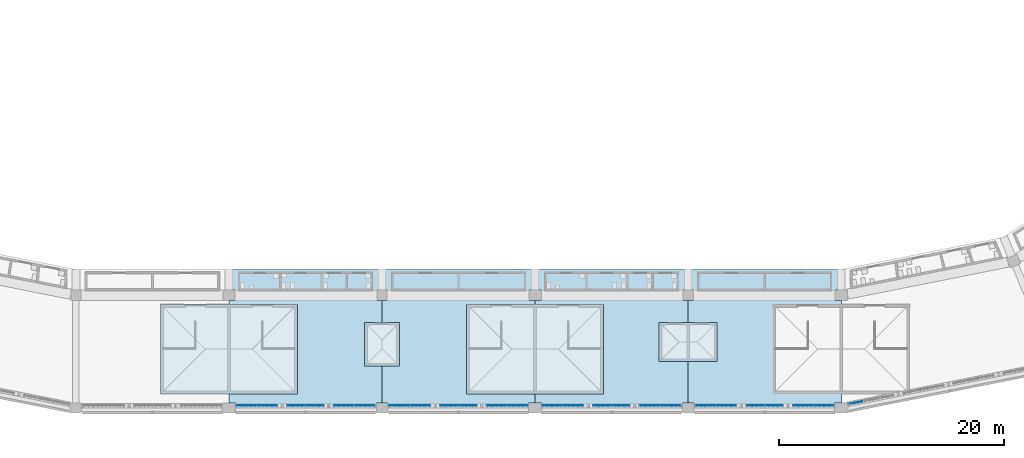
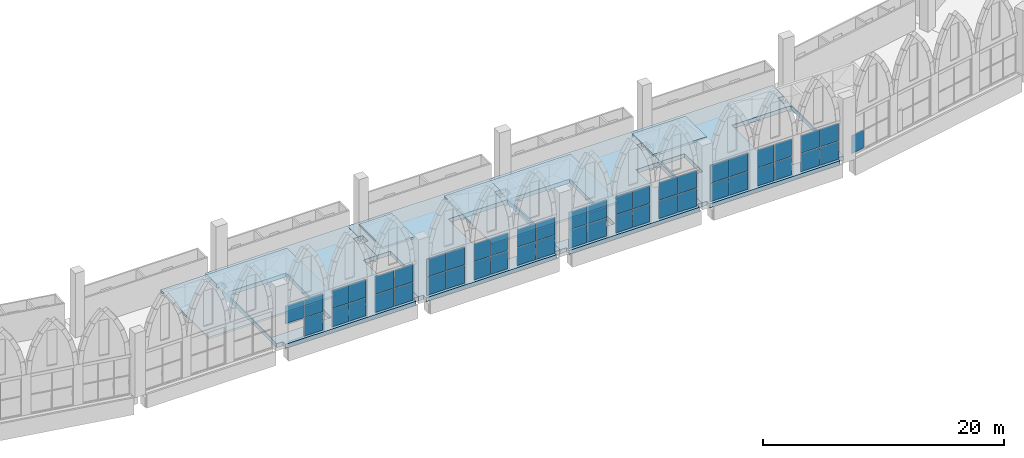
# One storey, part 50 of 130: 48 plates, 8 slabs, 13 elements without a shape of their own.
"""IFC4 building model written with IfcOpenShell, lengths in metres."""

from ifc_helpers import new_model, si_unit, direction, frame, origin, origin_2d, place, context, subcontext, project, spatial, polyline, rectangle, outline, extrude, material, layer, layer_set, type_object, element, aggregate, save


model = new_model("IFC4")

# Units and contexts
model_context = context("Model", 3, precision=1e-05, world=origin(), true_north=direction((0.0, 1.0)))
body_context = subcontext(model_context, "Body", "Model", "MODEL_VIEW")
ifc_project = project(units=[si_unit("LENGTHUNIT", "METRE"), si_unit("AREAUNIT", "SQUARE_METRE"), si_unit("VOLUMEUNIT", "CUBIC_METRE"), si_unit("PLANEANGLEUNIT", "RADIAN"), si_unit("MASSUNIT", "GRAM", prefix="KILO")], contexts=[model_context])

# Site, building, storey
site_placement = place(None, origin())
site = spatial("IfcSite", under=ifc_project, at=site_placement, CompositionType="ELEMENT")
building_placement = place(site_placement, origin())
building = spatial("IfcBuilding", under=site, at=building_placement, Name="Ogive Plaza Stadium", CompositionType="ELEMENT")
storey_placement = place(building_placement, frame((0.0, 0.0, 22.5)))
storey = spatial("IfcBuildingStorey", under=building, at=storey_placement, Name="L05", CompositionType="ELEMENT", Elevation=22.5)

# Slabs
ifc_material_1 = material(Name="Concrete C40/50", Category="concrete")
ifc_layer_1 = layer(ifc_material_1, 0.199951171875)
ifc_layer_set_1 = layer_set([ifc_layer_1], Name="Concrete C40/50")
slab_type_1 = type_object("IfcSlabType", Name="Core roof slab", PredefinedType="ROOF", material=ifc_layer_set_1)
slab_1_placement = place(storey_placement, frame((0.0, 0.0, 2.10009765625)))
element("IfcSlab", 1, at=slab_1_placement, inside=storey, type_object=slab_type_1, Name="Stair core R14 roof", PredefinedType="ROOF", context=body_context, shape_type="SweptSolid", body=[
    extrude(outline(polyline([(0.72509765625, -93.300048828125), (0.72509765625, -101.260009765625), (12.875, -101.260009765625), (12.875, -93.300048828125), (0.72509765625, -93.300048828125)])), origin(), (0.0, 0.0, 1.0), 0.199951171875),
])
slab_2_placement = place(storey_placement, frame((0.0, 0.0, 2.10009765625)))
element("IfcSlab", 2, at=slab_2_placement, inside=storey, type_object=slab_type_1, Name="Stair core R16 roof", PredefinedType="ROOF", context=body_context, shape_type="SweptSolid", body=[
    extrude(outline(polyline([(-26.47509765625, -93.300048828125), (-26.47509765625, -101.260009765625), (-14.324951171875, -101.260009765625), (-14.324951171875, -93.300048828125), (-26.47509765625, -93.300048828125)])), origin(), (0.0, 0.0, 1.0), 0.199951171875),
])

# Curtain wall, plate
ifc_material_2 = material(Name="Bronze-anodised aluminium with laminated glass", Category="aluminium")
curtain_wall_type = type_object("IfcCurtainWallType", Name="Lancet curtain wall", PredefinedType="NOTDEFINED", material=ifc_material_2)
curtain_wall_1_placement = place(storey_placement, origin())
curtain_wall_1 = element("IfcCurtainWall", 3, at=curtain_wall_1_placement, inside=storey, type_object=curtain_wall_type, Name="CURTAIN WALL B11 L05", PredefinedType="NOTDEFINED")
ifc_material_3 = material(Name="Laminated glass", Category="glass")
ifc_layer_2 = layer(ifc_material_3, 0.028076171875)
ifc_layer_set_2 = layer_set([ifc_layer_2], Name="Laminated glass panel 28")
plate_type = type_object("IfcPlateType", Name="Laminated glass panel 28", PredefinedType="CURTAIN_PANEL", material=ifc_layer_set_2)
plate_1_placement = place(storey_placement, frame((35.32666015625, -102.0322265625, 0.0498046875), z_axis=(0.0, 0.0, 1.0), x_axis=(-0.980785280403, -0.195090322016, 0.0)))
plate_1 = element("IfcPlate", 4, at=plate_1_placement, type_object=plate_type, Name="CW-B11-L05.4 panel 3.1", PredefinedType="CURTAIN_PANEL", context=body_context, shape_type="SweptSolid", body=[
    extrude(rectangle(XDim=1.30224609375, YDim=0.028076171875, at=origin_2d()), origin(), (0.0, 0.0, 1.0), 1.824951171875),
])
aggregate(curtain_wall_1, [plate_1])

# Curtain wall, plates
curtain_wall_2_placement = place(storey_placement, origin())
curtain_wall_2 = element("IfcCurtainWall", 5, at=curtain_wall_2_placement, inside=storey, type_object=curtain_wall_type, Name="CURTAIN WALL B12 L05", PredefinedType="NOTDEFINED")
plate_2_placement = place(storey_placement, frame((32.4541015625, -102.300048828125, 0.0498046875), z_axis=(0.0, 0.0, 1.0), x_axis=(-1.0, 0.0, 0.0)))
plate_2 = element("IfcPlate", 6, at=plate_2_placement, type_object=plate_type, Name="CW-B12-L05.1 panel 1.1", PredefinedType="CURTAIN_PANEL", context=body_context, shape_type="SweptSolid", body=[
    extrude(rectangle(XDim=1.791748046875, YDim=0.028076171875, at=origin_2d()), origin(), (0.0, 0.0, 1.0), 1.824951171875),
])
plate_3_placement = place(storey_placement, frame((32.4541015625, -102.300048828125, 1.9248046875), z_axis=(0.0, 0.0, 1.0), x_axis=(-1.0, 0.0, 0.0)))
plate_3 = element("IfcPlate", 7, at=plate_3_placement, type_object=plate_type, Name="CW-B12-L05.1 panel 1.2", PredefinedType="CURTAIN_PANEL", context=body_context, shape_type="SweptSolid", body=[
    extrude(rectangle(XDim=1.791748046875, YDim=0.028076171875, at=origin_2d()), origin(), (0.0, 0.0, 1.0), 1.824951171875),
])
plate_4_placement = place(storey_placement, frame((30.612548828125, -102.300048828125, 0.0498046875), z_axis=(0.0, 0.0, 1.0), x_axis=(-1.0, 0.0, 0.0)))
plate_4 = element("IfcPlate", 8, at=plate_4_placement, type_object=plate_type, Name="CW-B12-L05.1 panel 2.1", PredefinedType="CURTAIN_PANEL", context=body_context, shape_type="SweptSolid", body=[
    extrude(rectangle(XDim=1.791748046875, YDim=0.028076171875, at=origin_2d()), origin(), (0.0, 0.0, 1.0), 1.824951171875),
])
plate_5_placement = place(storey_placement, frame((30.612548828125, -102.300048828125, 1.9248046875), z_axis=(0.0, 0.0, 1.0), x_axis=(-1.0, 0.0, 0.0)))
plate_5 = element("IfcPlate", 9, at=plate_5_placement, type_object=plate_type, Name="CW-B12-L05.1 panel 2.2", PredefinedType="CURTAIN_PANEL", context=body_context, shape_type="SweptSolid", body=[
    extrude(rectangle(XDim=1.791748046875, YDim=0.028076171875, at=origin_2d()), origin(), (0.0, 0.0, 1.0), 1.824951171875),
])
aggregate(curtain_wall_2, [plate_2, plate_3, plate_4, plate_5])

curtain_wall_3_placement = place(storey_placement, origin())
curtain_wall_3 = element("IfcCurtainWall", 10, at=curtain_wall_3_placement, inside=storey, type_object=curtain_wall_type, Name="CURTAIN WALL B12 L05", PredefinedType="NOTDEFINED")
plate_6_placement = place(storey_placement, frame((28.020751953125, -102.300048828125, 0.0498046875), z_axis=(0.0, 0.0, 1.0), x_axis=(-1.0, 0.0, 0.0)))
plate_6 = element("IfcPlate", 11, at=plate_6_placement, type_object=plate_type, Name="CW-B12-L05.2 panel 1.1", PredefinedType="CURTAIN_PANEL", context=body_context, shape_type="SweptSolid", body=[
    extrude(rectangle(XDim=1.591552734375, YDim=0.028076171875, at=origin_2d()), origin(), (0.0, 0.0, 1.0), 1.824951171875),
])
plate_7_placement = place(storey_placement, frame((28.020751953125, -102.300048828125, 1.9248046875), z_axis=(0.0, 0.0, 1.0), x_axis=(-1.0, 0.0, 0.0)))
plate_7 = element("IfcPlate", 12, at=plate_7_placement, type_object=plate_type, Name="CW-B12-L05.2 panel 1.2", PredefinedType="CURTAIN_PANEL", context=body_context, shape_type="SweptSolid", body=[
    extrude(rectangle(XDim=1.591552734375, YDim=0.028076171875, at=origin_2d()), origin(), (0.0, 0.0, 1.0), 1.824951171875),
])
plate_8_placement = place(storey_placement, frame((26.379150390625, -102.300048828125, 0.0498046875), z_axis=(0.0, 0.0, 1.0), x_axis=(-1.0, 0.0, 0.0)))
plate_8 = element("IfcPlate", 13, at=plate_8_placement, type_object=plate_type, Name="CW-B12-L05.2 panel 2.1", PredefinedType="CURTAIN_PANEL", context=body_context, shape_type="SweptSolid", body=[
    extrude(rectangle(XDim=1.591552734375, YDim=0.028076171875, at=origin_2d()), origin(), (0.0, 0.0, 1.0), 1.824951171875),
])
plate_9_placement = place(storey_placement, frame((26.379150390625, -102.300048828125, 1.9248046875), z_axis=(0.0, 0.0, 1.0), x_axis=(-1.0, 0.0, 0.0)))
plate_9 = element("IfcPlate", 14, at=plate_9_placement, type_object=plate_type, Name="CW-B12-L05.2 panel 2.2", PredefinedType="CURTAIN_PANEL", context=body_context, shape_type="SweptSolid", body=[
    extrude(rectangle(XDim=1.591552734375, YDim=0.028076171875, at=origin_2d()), origin(), (0.0, 0.0, 1.0), 1.824951171875),
])
aggregate(curtain_wall_3, [plate_6, plate_7, plate_8, plate_9])

curtain_wall_4_placement = place(storey_placement, origin())
curtain_wall_4 = element("IfcCurtainWall", 15, at=curtain_wall_4_placement, inside=storey, type_object=curtain_wall_type, Name="CURTAIN WALL B12 L05", PredefinedType="NOTDEFINED")
plate_10_placement = place(storey_placement, frame((23.78759765625, -102.300048828125, 0.0498046875), z_axis=(0.0, 0.0, 1.0), x_axis=(-1.0, 0.0, 0.0)))
plate_10 = element("IfcPlate", 16, at=plate_10_placement, type_object=plate_type, Name="CW-B12-L05.3 panel 1.1", PredefinedType="CURTAIN_PANEL", context=body_context, shape_type="SweptSolid", body=[
    extrude(rectangle(XDim=1.791748046875, YDim=0.028076171875, at=origin_2d()), origin(), (0.0, 0.0, 1.0), 1.824951171875),
])
plate_11_placement = place(storey_placement, frame((23.78759765625, -102.300048828125, 1.9248046875), z_axis=(0.0, 0.0, 1.0), x_axis=(-1.0, 0.0, 0.0)))
plate_11 = element("IfcPlate", 17, at=plate_11_placement, type_object=plate_type, Name="CW-B12-L05.3 panel 1.2", PredefinedType="CURTAIN_PANEL", context=body_context, shape_type="SweptSolid", body=[
    extrude(rectangle(XDim=1.791748046875, YDim=0.028076171875, at=origin_2d()), origin(), (0.0, 0.0, 1.0), 1.824951171875),
])
plate_12_placement = place(storey_placement, frame((21.94580078125, -102.300048828125, 0.0498046875), z_axis=(0.0, 0.0, 1.0), x_axis=(-1.0, 0.0, 0.0)))
plate_12 = element("IfcPlate", 18, at=plate_12_placement, type_object=plate_type, Name="CW-B12-L05.3 panel 2.1", PredefinedType="CURTAIN_PANEL", context=body_context, shape_type="SweptSolid", body=[
    extrude(rectangle(XDim=1.791748046875, YDim=0.028076171875, at=origin_2d()), origin(), (0.0, 0.0, 1.0), 1.824951171875),
])
plate_13_placement = place(storey_placement, frame((21.94580078125, -102.300048828125, 1.9248046875), z_axis=(0.0, 0.0, 1.0), x_axis=(-1.0, 0.0, 0.0)))
plate_13 = element("IfcPlate", 19, at=plate_13_placement, type_object=plate_type, Name="CW-B12-L05.3 panel 2.2", PredefinedType="CURTAIN_PANEL", context=body_context, shape_type="SweptSolid", body=[
    extrude(rectangle(XDim=1.791748046875, YDim=0.028076171875, at=origin_2d()), origin(), (0.0, 0.0, 1.0), 1.824951171875),
])
aggregate(curtain_wall_4, [plate_10, plate_11, plate_12, plate_13])

curtain_wall_5_placement = place(storey_placement, origin())
curtain_wall_5 = element("IfcCurtainWall", 20, at=curtain_wall_5_placement, inside=storey, type_object=curtain_wall_type, Name="CURTAIN WALL B13 L05", PredefinedType="NOTDEFINED")
plate_14_placement = place(storey_placement, frame((18.854248046875, -102.300048828125, 0.0498046875), z_axis=(0.0, 0.0, 1.0), x_axis=(-1.0, 0.0, 0.0)))
plate_14 = element("IfcPlate", 21, at=plate_14_placement, type_object=plate_type, Name="CW-B13-L05.1 panel 1.1", PredefinedType="CURTAIN_PANEL", context=body_context, shape_type="SweptSolid", body=[
    extrude(rectangle(XDim=1.791748046875, YDim=0.028076171875, at=origin_2d()), origin(), (0.0, 0.0, 1.0), 1.824951171875),
])
plate_15_placement = place(storey_placement, frame((18.854248046875, -102.300048828125, 1.9248046875), z_axis=(0.0, 0.0, 1.0), x_axis=(-1.0, 0.0, 0.0)))
plate_15 = element("IfcPlate", 22, at=plate_15_placement, type_object=plate_type, Name="CW-B13-L05.1 panel 1.2", PredefinedType="CURTAIN_PANEL", context=body_context, shape_type="SweptSolid", body=[
    extrude(rectangle(XDim=1.791748046875, YDim=0.028076171875, at=origin_2d()), origin(), (0.0, 0.0, 1.0), 1.824951171875),
])
plate_16_placement = place(storey_placement, frame((17.012451171875, -102.300048828125, 0.0498046875), z_axis=(0.0, 0.0, 1.0), x_axis=(-1.0, 0.0, 0.0)))
plate_16 = element("IfcPlate", 23, at=plate_16_placement, type_object=plate_type, Name="CW-B13-L05.1 panel 2.1", PredefinedType="CURTAIN_PANEL", context=body_context, shape_type="SweptSolid", body=[
    extrude(rectangle(XDim=1.791748046875, YDim=0.028076171875, at=origin_2d()), origin(), (0.0, 0.0, 1.0), 1.824951171875),
])
plate_17_placement = place(storey_placement, frame((17.012451171875, -102.300048828125, 1.9248046875), z_axis=(0.0, 0.0, 1.0), x_axis=(-1.0, 0.0, 0.0)))
plate_17 = element("IfcPlate", 24, at=plate_17_placement, type_object=plate_type, Name="CW-B13-L05.1 panel 2.2", PredefinedType="CURTAIN_PANEL", context=body_context, shape_type="SweptSolid", body=[
    extrude(rectangle(XDim=1.791748046875, YDim=0.028076171875, at=origin_2d()), origin(), (0.0, 0.0, 1.0), 1.824951171875),
])
aggregate(curtain_wall_5, [plate_14, plate_15, plate_16, plate_17])

curtain_wall_6_placement = place(storey_placement, origin())
curtain_wall_6 = element("IfcCurtainWall", 25, at=curtain_wall_6_placement, inside=storey, type_object=curtain_wall_type, Name="CURTAIN WALL B13 L05", PredefinedType="NOTDEFINED")
plate_18_placement = place(storey_placement, frame((14.4208984375, -102.300048828125, 0.0498046875), z_axis=(0.0, 0.0, 1.0), x_axis=(-1.0, 0.0, 0.0)))
plate_18 = element("IfcPlate", 26, at=plate_18_placement, type_object=plate_type, Name="CW-B13-L05.2 panel 1.1", PredefinedType="CURTAIN_PANEL", context=body_context, shape_type="SweptSolid", body=[
    extrude(rectangle(XDim=1.591552734375, YDim=0.028076171875, at=origin_2d()), origin(), (0.0, 0.0, 1.0), 1.824951171875),
])
plate_19_placement = place(storey_placement, frame((14.4208984375, -102.300048828125, 1.9248046875), z_axis=(0.0, 0.0, 1.0), x_axis=(-1.0, 0.0, 0.0)))
plate_19 = element("IfcPlate", 27, at=plate_19_placement, type_object=plate_type, Name="CW-B13-L05.2 panel 1.2", PredefinedType="CURTAIN_PANEL", context=body_context, shape_type="SweptSolid", body=[
    extrude(rectangle(XDim=1.591552734375, YDim=0.028076171875, at=origin_2d()), origin(), (0.0, 0.0, 1.0), 1.824951171875),
])
plate_20_placement = place(storey_placement, frame((12.779052734375, -102.300048828125, 0.0498046875), z_axis=(0.0, 0.0, 1.0), x_axis=(-1.0, 0.0, 0.0)))
plate_20 = element("IfcPlate", 28, at=plate_20_placement, type_object=plate_type, Name="CW-B13-L05.2 panel 2.1", PredefinedType="CURTAIN_PANEL", context=body_context, shape_type="SweptSolid", body=[
    extrude(rectangle(XDim=1.591552734375, YDim=0.028076171875, at=origin_2d()), origin(), (0.0, 0.0, 1.0), 1.824951171875),
])
plate_21_placement = place(storey_placement, frame((12.779052734375, -102.300048828125, 1.9248046875), z_axis=(0.0, 0.0, 1.0), x_axis=(-1.0, 0.0, 0.0)))
plate_21 = element("IfcPlate", 29, at=plate_21_placement, type_object=plate_type, Name="CW-B13-L05.2 panel 2.2", PredefinedType="CURTAIN_PANEL", context=body_context, shape_type="SweptSolid", body=[
    extrude(rectangle(XDim=1.591552734375, YDim=0.028076171875, at=origin_2d()), origin(), (0.0, 0.0, 1.0), 1.824951171875),
])
aggregate(curtain_wall_6, [plate_18, plate_19, plate_20, plate_21])

curtain_wall_7_placement = place(storey_placement, origin())
curtain_wall_7 = element("IfcCurtainWall", 30, at=curtain_wall_7_placement, inside=storey, type_object=curtain_wall_type, Name="CURTAIN WALL B13 L05", PredefinedType="NOTDEFINED")
plate_22_placement = place(storey_placement, frame((10.1875, -102.300048828125, 0.0498046875), z_axis=(0.0, 0.0, 1.0), x_axis=(-1.0, 0.0, 0.0)))
plate_22 = element("IfcPlate", 31, at=plate_22_placement, type_object=plate_type, Name="CW-B13-L05.3 panel 1.1", PredefinedType="CURTAIN_PANEL", context=body_context, shape_type="SweptSolid", body=[
    extrude(rectangle(XDim=1.791748046875, YDim=0.028076171875, at=origin_2d()), origin(), (0.0, 0.0, 1.0), 1.824951171875),
])
plate_23_placement = place(storey_placement, frame((10.1875, -102.300048828125, 1.9248046875), z_axis=(0.0, 0.0, 1.0), x_axis=(-1.0, 0.0, 0.0)))
plate_23 = element("IfcPlate", 32, at=plate_23_placement, type_object=plate_type, Name="CW-B13-L05.3 panel 1.2", PredefinedType="CURTAIN_PANEL", context=body_context, shape_type="SweptSolid", body=[
    extrude(rectangle(XDim=1.791748046875, YDim=0.028076171875, at=origin_2d()), origin(), (0.0, 0.0, 1.0), 1.824951171875),
])
plate_24_placement = place(storey_placement, frame((8.345947265625, -102.300048828125, 0.0498046875), z_axis=(0.0, 0.0, 1.0), x_axis=(-1.0, 0.0, 0.0)))
plate_24 = element("IfcPlate", 33, at=plate_24_placement, type_object=plate_type, Name="CW-B13-L05.3 panel 2.1", PredefinedType="CURTAIN_PANEL", context=body_context, shape_type="SweptSolid", body=[
    extrude(rectangle(XDim=1.791748046875, YDim=0.028076171875, at=origin_2d()), origin(), (0.0, 0.0, 1.0), 1.824951171875),
])
plate_25_placement = place(storey_placement, frame((8.345947265625, -102.300048828125, 1.9248046875), z_axis=(0.0, 0.0, 1.0), x_axis=(-1.0, 0.0, 0.0)))
plate_25 = element("IfcPlate", 34, at=plate_25_placement, type_object=plate_type, Name="CW-B13-L05.3 panel 2.2", PredefinedType="CURTAIN_PANEL", context=body_context, shape_type="SweptSolid", body=[
    extrude(rectangle(XDim=1.791748046875, YDim=0.028076171875, at=origin_2d()), origin(), (0.0, 0.0, 1.0), 1.824951171875),
])
aggregate(curtain_wall_7, [plate_22, plate_23, plate_24, plate_25])

curtain_wall_8_placement = place(storey_placement, origin())
curtain_wall_8 = element("IfcCurtainWall", 35, at=curtain_wall_8_placement, inside=storey, type_object=curtain_wall_type, Name="CURTAIN WALL B14 L05", PredefinedType="NOTDEFINED")
plate_26_placement = place(storey_placement, frame((5.254150390625, -102.300048828125, 0.0498046875), z_axis=(0.0, 0.0, 1.0), x_axis=(-1.0, 0.0, 0.0)))
plate_26 = element("IfcPlate", 36, at=plate_26_placement, type_object=plate_type, Name="CW-B14-L05.1 panel 1.1", PredefinedType="CURTAIN_PANEL", context=body_context, shape_type="SweptSolid", body=[
    extrude(rectangle(XDim=1.791748046875, YDim=0.028076171875, at=origin_2d()), origin(), (0.0, 0.0, 1.0), 1.824951171875),
])
plate_27_placement = place(storey_placement, frame((5.254150390625, -102.300048828125, 1.9248046875), z_axis=(0.0, 0.0, 1.0), x_axis=(-1.0, 0.0, 0.0)))
plate_27 = element("IfcPlate", 37, at=plate_27_placement, type_object=plate_type, Name="CW-B14-L05.1 panel 1.2", PredefinedType="CURTAIN_PANEL", context=body_context, shape_type="SweptSolid", body=[
    extrude(rectangle(XDim=1.791748046875, YDim=0.028076171875, at=origin_2d()), origin(), (0.0, 0.0, 1.0), 1.824951171875),
])
plate_28_placement = place(storey_placement, frame((3.41259765625, -102.300048828125, 0.0498046875), z_axis=(0.0, 0.0, 1.0), x_axis=(-1.0, 0.0, 0.0)))
plate_28 = element("IfcPlate", 38, at=plate_28_placement, type_object=plate_type, Name="CW-B14-L05.1 panel 2.1", PredefinedType="CURTAIN_PANEL", context=body_context, shape_type="SweptSolid", body=[
    extrude(rectangle(XDim=1.791748046875, YDim=0.028076171875, at=origin_2d()), origin(), (0.0, 0.0, 1.0), 1.824951171875),
])
plate_29_placement = place(storey_placement, frame((3.41259765625, -102.300048828125, 1.9248046875), z_axis=(0.0, 0.0, 1.0), x_axis=(-1.0, 0.0, 0.0)))
plate_29 = element("IfcPlate", 39, at=plate_29_placement, type_object=plate_type, Name="CW-B14-L05.1 panel 2.2", PredefinedType="CURTAIN_PANEL", context=body_context, shape_type="SweptSolid", body=[
    extrude(rectangle(XDim=1.791748046875, YDim=0.028076171875, at=origin_2d()), origin(), (0.0, 0.0, 1.0), 1.824951171875),
])
aggregate(curtain_wall_8, [plate_26, plate_27, plate_28, plate_29])

curtain_wall_9_placement = place(storey_placement, origin())
curtain_wall_9 = element("IfcCurtainWall", 40, at=curtain_wall_9_placement, inside=storey, type_object=curtain_wall_type, Name="CURTAIN WALL B14 L05", PredefinedType="NOTDEFINED")
plate_30_placement = place(storey_placement, frame((0.82080078125, -102.300048828125, 0.0498046875), z_axis=(0.0, 0.0, 1.0), x_axis=(-1.0, 0.0, 0.0)))
plate_30 = element("IfcPlate", 41, at=plate_30_placement, type_object=plate_type, Name="CW-B14-L05.2 panel 1.1", PredefinedType="CURTAIN_PANEL", context=body_context, shape_type="SweptSolid", body=[
    extrude(rectangle(XDim=1.591552734375, YDim=0.028076171875, at=origin_2d()), origin(), (0.0, 0.0, 1.0), 1.824951171875),
])
plate_31_placement = place(storey_placement, frame((0.82080078125, -102.300048828125, 1.9248046875), z_axis=(0.0, 0.0, 1.0), x_axis=(-1.0, 0.0, 0.0)))
plate_31 = element("IfcPlate", 42, at=plate_31_placement, type_object=plate_type, Name="CW-B14-L05.2 panel 1.2", PredefinedType="CURTAIN_PANEL", context=body_context, shape_type="SweptSolid", body=[
    extrude(rectangle(XDim=1.591552734375, YDim=0.028076171875, at=origin_2d()), origin(), (0.0, 0.0, 1.0), 1.824951171875),
])
plate_32_placement = place(storey_placement, frame((-0.82080078125, -102.300048828125, 0.0498046875), z_axis=(0.0, 0.0, 1.0), x_axis=(-1.0, 0.0, 0.0)))
plate_32 = element("IfcPlate", 43, at=plate_32_placement, type_object=plate_type, Name="CW-B14-L05.2 panel 2.1", PredefinedType="CURTAIN_PANEL", context=body_context, shape_type="SweptSolid", body=[
    extrude(rectangle(XDim=1.591552734375, YDim=0.028076171875, at=origin_2d()), origin(), (0.0, 0.0, 1.0), 1.824951171875),
])
plate_33_placement = place(storey_placement, frame((-0.82080078125, -102.300048828125, 1.9248046875), z_axis=(0.0, 0.0, 1.0), x_axis=(-1.0, 0.0, 0.0)))
plate_33 = element("IfcPlate", 44, at=plate_33_placement, type_object=plate_type, Name="CW-B14-L05.2 panel 2.2", PredefinedType="CURTAIN_PANEL", context=body_context, shape_type="SweptSolid", body=[
    extrude(rectangle(XDim=1.591552734375, YDim=0.028076171875, at=origin_2d()), origin(), (0.0, 0.0, 1.0), 1.824951171875),
])
aggregate(curtain_wall_9, [plate_30, plate_31, plate_32, plate_33])

curtain_wall_10_placement = place(storey_placement, origin())
curtain_wall_10 = element("IfcCurtainWall", 45, at=curtain_wall_10_placement, inside=storey, type_object=curtain_wall_type, Name="CURTAIN WALL B14 L05", PredefinedType="NOTDEFINED")
plate_34_placement = place(storey_placement, frame((-3.41259765625, -102.300048828125, 0.0498046875), z_axis=(0.0, 0.0, 1.0), x_axis=(-1.0, 0.0, 0.0)))
plate_34 = element("IfcPlate", 46, at=plate_34_placement, type_object=plate_type, Name="CW-B14-L05.3 panel 1.1", PredefinedType="CURTAIN_PANEL", context=body_context, shape_type="SweptSolid", body=[
    extrude(rectangle(XDim=1.791748046875, YDim=0.028076171875, at=origin_2d()), origin(), (0.0, 0.0, 1.0), 1.824951171875),
])
plate_35_placement = place(storey_placement, frame((-3.41259765625, -102.300048828125, 1.9248046875), z_axis=(0.0, 0.0, 1.0), x_axis=(-1.0, 0.0, 0.0)))
plate_35 = element("IfcPlate", 47, at=plate_35_placement, type_object=plate_type, Name="CW-B14-L05.3 panel 1.2", PredefinedType="CURTAIN_PANEL", context=body_context, shape_type="SweptSolid", body=[
    extrude(rectangle(XDim=1.791748046875, YDim=0.028076171875, at=origin_2d()), origin(), (0.0, 0.0, 1.0), 1.824951171875),
])
plate_36_placement = place(storey_placement, frame((-5.254150390625, -102.300048828125, 0.0498046875), z_axis=(0.0, 0.0, 1.0), x_axis=(-1.0, 0.0, 0.0)))
plate_36 = element("IfcPlate", 48, at=plate_36_placement, type_object=plate_type, Name="CW-B14-L05.3 panel 2.1", PredefinedType="CURTAIN_PANEL", context=body_context, shape_type="SweptSolid", body=[
    extrude(rectangle(XDim=1.791748046875, YDim=0.028076171875, at=origin_2d()), origin(), (0.0, 0.0, 1.0), 1.824951171875),
])
plate_37_placement = place(storey_placement, frame((-5.254150390625, -102.300048828125, 1.9248046875), z_axis=(0.0, 0.0, 1.0), x_axis=(-1.0, 0.0, 0.0)))
plate_37 = element("IfcPlate", 49, at=plate_37_placement, type_object=plate_type, Name="CW-B14-L05.3 panel 2.2", PredefinedType="CURTAIN_PANEL", context=body_context, shape_type="SweptSolid", body=[
    extrude(rectangle(XDim=1.791748046875, YDim=0.028076171875, at=origin_2d()), origin(), (0.0, 0.0, 1.0), 1.824951171875),
])
aggregate(curtain_wall_10, [plate_34, plate_35, plate_36, plate_37])

curtain_wall_11_placement = place(storey_placement, origin())
curtain_wall_11 = element("IfcCurtainWall", 50, at=curtain_wall_11_placement, inside=storey, type_object=curtain_wall_type, Name="CURTAIN WALL B15 L05", PredefinedType="NOTDEFINED")
plate_38_placement = place(storey_placement, frame((-8.345947265625, -102.300048828125, 0.0498046875), z_axis=(0.0, 0.0, 1.0), x_axis=(-1.0, 0.0, 0.0)))
plate_38 = element("IfcPlate", 51, at=plate_38_placement, type_object=plate_type, Name="CW-B15-L05.1 panel 1.1", PredefinedType="CURTAIN_PANEL", context=body_context, shape_type="SweptSolid", body=[
    extrude(rectangle(XDim=1.791748046875, YDim=0.028076171875, at=origin_2d()), origin(), (0.0, 0.0, 1.0), 1.824951171875),
])
plate_39_placement = place(storey_placement, frame((-8.345947265625, -102.300048828125, 1.9248046875), z_axis=(0.0, 0.0, 1.0), x_axis=(-1.0, 0.0, 0.0)))
plate_39 = element("IfcPlate", 52, at=plate_39_placement, type_object=plate_type, Name="CW-B15-L05.1 panel 1.2", PredefinedType="CURTAIN_PANEL", context=body_context, shape_type="SweptSolid", body=[
    extrude(rectangle(XDim=1.791748046875, YDim=0.028076171875, at=origin_2d()), origin(), (0.0, 0.0, 1.0), 1.824951171875),
])
plate_40_placement = place(storey_placement, frame((-10.1875, -102.300048828125, 0.0498046875), z_axis=(0.0, 0.0, 1.0), x_axis=(-1.0, 0.0, 0.0)))
plate_40 = element("IfcPlate", 53, at=plate_40_placement, type_object=plate_type, Name="CW-B15-L05.1 panel 2.1", PredefinedType="CURTAIN_PANEL", context=body_context, shape_type="SweptSolid", body=[
    extrude(rectangle(XDim=1.791748046875, YDim=0.028076171875, at=origin_2d()), origin(), (0.0, 0.0, 1.0), 1.824951171875),
])
plate_41_placement = place(storey_placement, frame((-10.1875, -102.300048828125, 1.9248046875), z_axis=(0.0, 0.0, 1.0), x_axis=(-1.0, 0.0, 0.0)))
plate_41 = element("IfcPlate", 54, at=plate_41_placement, type_object=plate_type, Name="CW-B15-L05.1 panel 2.2", PredefinedType="CURTAIN_PANEL", context=body_context, shape_type="SweptSolid", body=[
    extrude(rectangle(XDim=1.791748046875, YDim=0.028076171875, at=origin_2d()), origin(), (0.0, 0.0, 1.0), 1.824951171875),
])
aggregate(curtain_wall_11, [plate_38, plate_39, plate_40, plate_41])

curtain_wall_12_placement = place(storey_placement, origin())
curtain_wall_12 = element("IfcCurtainWall", 55, at=curtain_wall_12_placement, inside=storey, type_object=curtain_wall_type, Name="CURTAIN WALL B15 L05", PredefinedType="NOTDEFINED")
plate_42_placement = place(storey_placement, frame((-12.779052734375, -102.300048828125, 0.0498046875), z_axis=(0.0, 0.0, 1.0), x_axis=(-1.0, 0.0, 0.0)))
plate_42 = element("IfcPlate", 56, at=plate_42_placement, type_object=plate_type, Name="CW-B15-L05.2 panel 1.1", PredefinedType="CURTAIN_PANEL", context=body_context, shape_type="SweptSolid", body=[
    extrude(rectangle(XDim=1.591552734375, YDim=0.028076171875, at=origin_2d()), origin(), (0.0, 0.0, 1.0), 1.824951171875),
])
plate_43_placement = place(storey_placement, frame((-12.779052734375, -102.300048828125, 1.9248046875), z_axis=(0.0, 0.0, 1.0), x_axis=(-1.0, 0.0, 0.0)))
plate_43 = element("IfcPlate", 57, at=plate_43_placement, type_object=plate_type, Name="CW-B15-L05.2 panel 1.2", PredefinedType="CURTAIN_PANEL", context=body_context, shape_type="SweptSolid", body=[
    extrude(rectangle(XDim=1.591552734375, YDim=0.028076171875, at=origin_2d()), origin(), (0.0, 0.0, 1.0), 1.824951171875),
])
plate_44_placement = place(storey_placement, frame((-14.4208984375, -102.300048828125, 0.0498046875), z_axis=(0.0, 0.0, 1.0), x_axis=(-1.0, 0.0, 0.0)))
plate_44 = element("IfcPlate", 58, at=plate_44_placement, type_object=plate_type, Name="CW-B15-L05.2 panel 2.1", PredefinedType="CURTAIN_PANEL", context=body_context, shape_type="SweptSolid", body=[
    extrude(rectangle(XDim=1.591552734375, YDim=0.028076171875, at=origin_2d()), origin(), (0.0, 0.0, 1.0), 1.824951171875),
])
plate_45_placement = place(storey_placement, frame((-14.4208984375, -102.300048828125, 1.9248046875), z_axis=(0.0, 0.0, 1.0), x_axis=(-1.0, 0.0, 0.0)))
plate_45 = element("IfcPlate", 59, at=plate_45_placement, type_object=plate_type, Name="CW-B15-L05.2 panel 2.2", PredefinedType="CURTAIN_PANEL", context=body_context, shape_type="SweptSolid", body=[
    extrude(rectangle(XDim=1.591552734375, YDim=0.028076171875, at=origin_2d()), origin(), (0.0, 0.0, 1.0), 1.824951171875),
])
aggregate(curtain_wall_12, [plate_42, plate_43, plate_44, plate_45])

curtain_wall_13_placement = place(storey_placement, origin())
curtain_wall_13 = element("IfcCurtainWall", 60, at=curtain_wall_13_placement, inside=storey, type_object=curtain_wall_type, Name="CURTAIN WALL B15 L05", PredefinedType="NOTDEFINED")
plate_46_placement = place(storey_placement, frame((-17.012451171875, -102.300048828125, 0.0498046875), z_axis=(0.0, 0.0, 1.0), x_axis=(-1.0, 0.0, 0.0)))
plate_46 = element("IfcPlate", 61, at=plate_46_placement, type_object=plate_type, Name="CW-B15-L05.3 panel 1.1", PredefinedType="CURTAIN_PANEL", context=body_context, shape_type="SweptSolid", body=[
    extrude(rectangle(XDim=1.791748046875, YDim=0.028076171875, at=origin_2d()), origin(), (0.0, 0.0, 1.0), 1.824951171875),
])
plate_47_placement = place(storey_placement, frame((-17.012451171875, -102.300048828125, 1.9248046875), z_axis=(0.0, 0.0, 1.0), x_axis=(-1.0, 0.0, 0.0)))
plate_47 = element("IfcPlate", 62, at=plate_47_placement, type_object=plate_type, Name="CW-B15-L05.3 panel 1.2", PredefinedType="CURTAIN_PANEL", context=body_context, shape_type="SweptSolid", body=[
    extrude(rectangle(XDim=1.791748046875, YDim=0.028076171875, at=origin_2d()), origin(), (0.0, 0.0, 1.0), 1.824951171875),
])
plate_48_placement = place(storey_placement, frame((-18.854248046875, -102.300048828125, 1.9248046875), z_axis=(0.0, 0.0, 1.0), x_axis=(-1.0, 0.0, 0.0)))
plate_48 = element("IfcPlate", 63, at=plate_48_placement, type_object=plate_type, Name="CW-B15-L05.3 panel 2.2", PredefinedType="CURTAIN_PANEL", context=body_context, shape_type="SweptSolid", body=[
    extrude(rectangle(XDim=1.791748046875, YDim=0.028076171875, at=origin_2d()), origin(), (0.0, 0.0, 1.0), 1.824951171875),
])
aggregate(curtain_wall_13, [plate_46, plate_47, plate_48])

# Slabs
ifc_material_4 = material(Name="Concrete C40/50", Category="concrete")
ifc_layer_3 = layer(ifc_material_4, 0.199951171875)
ifc_layer_set_3 = layer_set([ifc_layer_3], Name="Concrete C40/50")
slab_type_2 = type_object("IfcSlabType", Name="Lift overrun roof slab", PredefinedType="ROOF", material=ifc_layer_set_3)
slab_3_placement = place(storey_placement, frame((0.0, 0.0, 3.39990234375)))
element("IfcSlab", 64, at=slab_3_placement, inside=storey, type_object=slab_type_2, Name="Lift core LP13 roof", PredefinedType="ROOF", context=body_context, shape_type="SweptSolid", body=[
    extrude(outline(polyline([(17.824951171875, -94.89990234375), (17.824951171875, -98.39990234375), (22.97509765625, -98.39990234375), (22.97509765625, -94.89990234375), (17.824951171875, -94.89990234375)])), origin(), (0.0, 0.0, 1.0), 0.2001953125),
])
slab_4_placement = place(storey_placement, frame((0.0, 0.0, 3.39990234375)))
element("IfcSlab", 65, at=slab_4_placement, inside=storey, type_object=slab_type_2, Name="Lift core LS15 roof", PredefinedType="ROOF", context=body_context, shape_type="SweptSolid", body=[
    extrude(outline(polyline([(-8.35009765625, -94.89990234375), (-8.35009765625, -98.800048828125), (-5.25, -98.800048828125), (-5.25, -94.89990234375), (-8.35009765625, -94.89990234375)])), origin(), (0.0, 0.0, 1.0), 0.2001953125),
])
ifc_material_5 = material(Name="Concrete C40/50", Category="concrete")
ifc_layer_4 = layer(ifc_material_5, 0.409912109375)
ifc_layer_set_4 = layer_set([ifc_layer_4], Name="Concrete C40/50")
slab_type_3 = type_object("IfcSlabType", Name="RC floor slab 410", PredefinedType="FLOOR", material=ifc_layer_set_4)
slab_5_placement = place(storey_placement, frame((0.0, 0.0, -0.409912109375)))
element("IfcSlab", 66, at=slab_5_placement, inside=storey, type_object=slab_type_3, Name="Floor slab L05 B12", PredefinedType="FLOOR", context=body_context, shape_type="SweptSolid", body=[
    extrude(outline(polyline([(20.39990234375, -92.050048828125), (20.85009765625, -92.050048828125), (20.85009765625, -92.949951171875), (20.39990234375, -92.949951171875), (20.39990234375, -102.050048828125), (20.89990234375, -102.050048828125), (20.89990234375, -102.5), (33.39990234375, -102.5), (33.39990234375, -102.050048828125), (34.0, -102.050048828125), (34.0, -92.949951171875), (33.449951171875, -92.949951171875), (33.449951171875, -92.050048828125), (34.0, -92.050048828125), (34.0, -90.199951171875), (20.39990234375, -90.199951171875), (20.39990234375, -92.050048828125)]), holes=[polyline([(33.875, -93.550048828125), (28.175048828125, -93.550048828125), (28.175048828125, -101.010009765625), (33.875, -101.010009765625), (33.875, -93.550048828125)]), polyline([(20.52490234375, -95.14990234375), (20.52490234375, -98.14990234375), (22.72509765625, -98.14990234375), (22.72509765625, -95.14990234375), (20.52490234375, -95.14990234375)])]), origin(), (0.0, 0.0, 1.0), 0.409912109375),
])
slab_6_placement = place(storey_placement, frame((0.0, 0.0, -0.409912109375)))
element("IfcSlab", 67, at=slab_6_placement, inside=storey, type_object=slab_type_3, Name="Floor slab L05 B13", PredefinedType="FLOOR", context=body_context, shape_type="SweptSolid", body=[
    extrude(outline(polyline([(6.800048828125, -92.050048828125), (7.35009765625, -92.050048828125), (7.35009765625, -92.949951171875), (6.800048828125, -92.949951171875), (6.800048828125, -102.050048828125), (7.39990234375, -102.050048828125), (7.39990234375, -102.5), (19.89990234375, -102.5), (19.89990234375, -102.050048828125), (20.39990234375, -102.050048828125), (20.39990234375, -92.949951171875), (19.949951171875, -92.949951171875), (19.949951171875, -92.050048828125), (20.39990234375, -92.050048828125), (20.39990234375, -90.199951171875), (6.800048828125, -90.199951171875), (6.800048828125, -92.050048828125)]), holes=[polyline([(12.625, -93.550048828125), (6.925048828125, -93.550048828125), (6.925048828125, -101.010009765625), (12.625, -101.010009765625), (12.625, -93.550048828125)]), polyline([(20.27490234375, -95.14990234375), (18.074951171875, -95.14990234375), (18.074951171875, -98.14990234375), (20.27490234375, -98.14990234375), (20.27490234375, -95.14990234375)])]), origin(), (0.0, 0.0, 1.0), 0.409912109375),
])
slab_7_placement = place(storey_placement, frame((0.0, 0.0, -0.409912109375)))
element("IfcSlab", 68, at=slab_7_placement, inside=storey, type_object=slab_type_3, Name="Floor slab L05 B14", PredefinedType="FLOOR", context=body_context, shape_type="SweptSolid", body=[
    extrude(outline(polyline([(-6.800048828125, -92.050048828125), (-6.35009765625, -92.050048828125), (-6.35009765625, -92.949951171875), (-6.800048828125, -92.949951171875), (-6.800048828125, -95.14990234375), (-5.5, -95.14990234375), (-5.5, -98.550048828125), (-6.800048828125, -98.550048828125), (-6.800048828125, -102.050048828125), (-6.300048828125, -102.050048828125), (-6.300048828125, -102.5), (6.199951171875, -102.5), (6.199951171875, -102.050048828125), (6.800048828125, -102.050048828125), (6.800048828125, -92.949951171875), (6.25, -92.949951171875), (6.25, -92.050048828125), (6.800048828125, -92.050048828125), (6.800048828125, -90.199951171875), (-6.800048828125, -90.199951171875), (-6.800048828125, -92.050048828125)]), holes=[polyline([(6.675048828125, -93.550048828125), (0.97509765625, -93.550048828125), (0.97509765625, -101.010009765625), (6.675048828125, -101.010009765625), (6.675048828125, -93.550048828125)])]), origin(), (0.0, 0.0, 1.0), 0.409912109375),
])
slab_8_placement = place(storey_placement, frame((0.0, 0.0, -0.409912109375)))
element("IfcSlab", 69, at=slab_8_placement, inside=storey, type_object=slab_type_3, Name="Floor slab L05 B15", PredefinedType="FLOOR", context=body_context, shape_type="SweptSolid", body=[
    extrude(outline(polyline([(-20.39990234375, -92.050048828125), (-19.85009765625, -92.050048828125), (-19.85009765625, -92.949951171875), (-20.39990234375, -92.949951171875), (-20.39990234375, -102.050048828125), (-19.800048828125, -102.050048828125), (-19.800048828125, -102.5), (-7.300048828125, -102.5), (-7.300048828125, -102.050048828125), (-6.800048828125, -102.050048828125), (-6.800048828125, -98.550048828125), (-8.10009765625, -98.550048828125), (-8.10009765625, -95.14990234375), (-6.800048828125, -95.14990234375), (-6.800048828125, -92.949951171875), (-7.25, -92.949951171875), (-7.25, -92.050048828125), (-6.800048828125, -92.050048828125), (-6.800048828125, -90.199951171875), (-20.39990234375, -90.199951171875), (-20.39990234375, -92.050048828125)]), holes=[polyline([(-14.574951171875, -93.550048828125), (-20.27490234375, -93.550048828125), (-20.27490234375, -101.010009765625), (-14.574951171875, -101.010009765625), (-14.574951171875, -93.550048828125)])]), origin(), (0.0, 0.0, 1.0), 0.409912109375),
])

save(model, "model.ifc")
